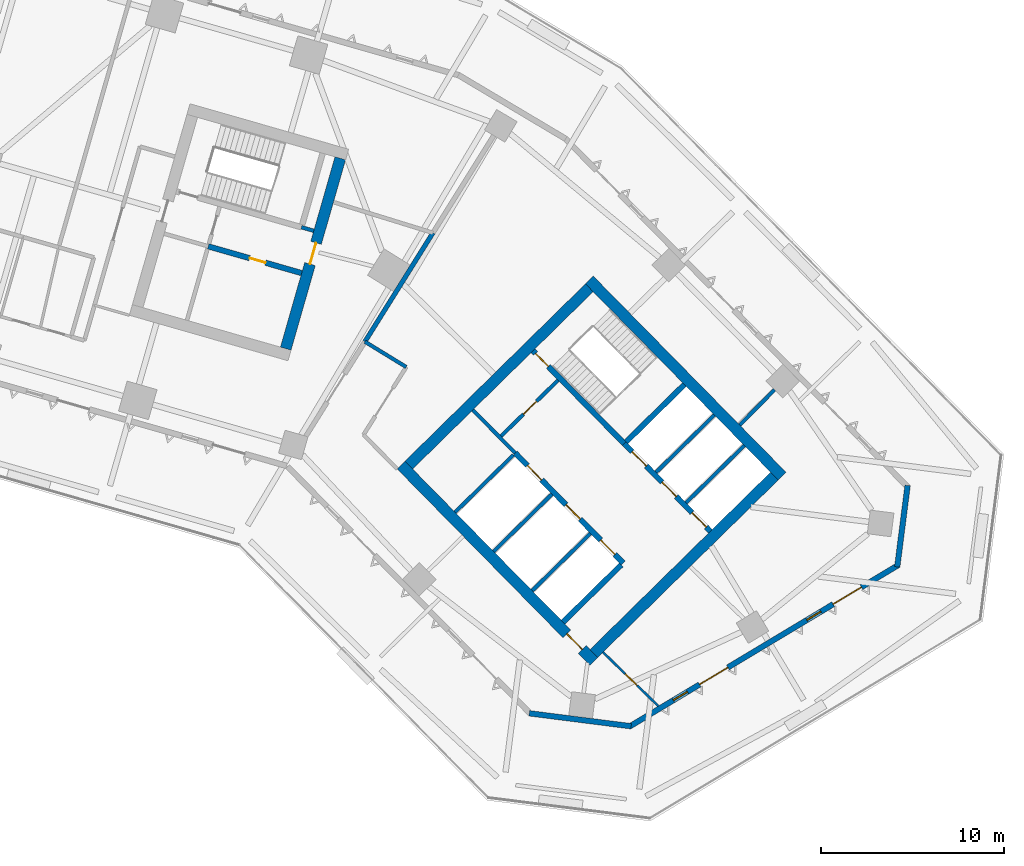
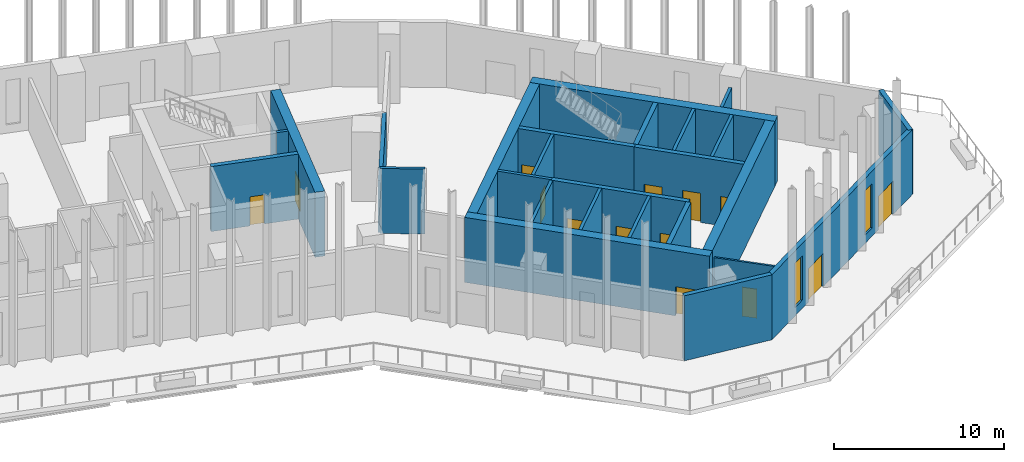
# One storey, part 9 of 17: 26 walls, 14 doors, 2 windows, 16 openings.
"""IFC4 building model written with IfcOpenShell, lengths in metres."""

import ifcopenshell
import ifcopenshell.guid

model = None  # the IFC model being written
_history = None  # IfcOwnerHistory: only IFC2X3 demands one
_inside = {}  # id of a spatial element -> (the spatial element, [elements in it])
_under = {}  # id of a project, library or spatial element -> (it, [spatial elements below it])
_declared = {}  # id of a project -> (the project, [libraries it declares])
_typed = {}  # id of a type object -> (the type object, [elements of that type])
_made_of = {}  # id of a material, layer set ... -> (it, [elements and type objects made of it])


def new_model(schema):
    """Start an empty IFC model of exactly this schema.

    Asked for "IFC4X3", IfcOpenShell would pick the latest addendum, in which some entities
    have other attributes; the version numbers below select the first issue.
    IFC2X3 requires an IfcOwnerHistory on every rooted entity: one is made here for all.
    """
    global model, _history
    if schema == "IFC4X3":
        model = ifcopenshell.file(schema_version=(4, 3, 0, 0))
    else:
        model = ifcopenshell.file(schema=schema)
    _inside.clear()
    _under.clear()
    _declared.clear()
    _typed.clear()
    _made_of.clear()
    _history = None
    if model.schema == "IFC2X3":
        org = make("IfcOrganization", Name="unknown")
        user = make(
            "IfcPersonAndOrganization",
            ThePerson=make("IfcPerson", FamilyName="unknown"),
            TheOrganization=org,
        )
        app = make(
            "IfcApplication",
            ApplicationDeveloper=org,
            Version="unknown",
            ApplicationFullName="unknown",
            ApplicationIdentifier="unknown",
        )
        _history = make(
            "IfcOwnerHistory",
            OwningUser=user,
            OwningApplication=app,
            ChangeAction="ADDED",
            CreationDate=0,
        )
    return model


def make(cls, **values):
    """One entity of the class cls with the attributes given. An attribute that is None is left unset."""
    return model.create_entity(
        cls, **{name: value for name, value in values.items() if value is not None}
    )


def rooted(cls, **values):
    """An entity with a GlobalId (a new one), such as an element, a storey or a relation."""
    return make(cls, GlobalId=ifcopenshell.guid.new(), OwnerHistory=_history, **values)


def si_unit(unit_type, name, prefix=None):
    """IfcSIUnit, for example si_unit("LENGTHUNIT", "METRE", prefix="MILLI")."""
    return make("IfcSIUnit", UnitType=unit_type, Prefix=prefix, Name=name)


def assignment(units):
    """IfcUnitAssignment: the units of a project."""
    return None if units is None else make("IfcUnitAssignment", Units=units)


def point(xyz):
    """IfcCartesianPoint."""
    return None if xyz is None else make("IfcCartesianPoint", Coordinates=xyz)


def direction(xyz):
    """IfcDirection."""
    return None if xyz is None else make("IfcDirection", DirectionRatios=xyz)


def frame(location, z_axis=None, x_axis=None):
    """IfcAxis2Placement3D, a coordinate frame: its origin and axes. An axis left out is left unset."""
    return make(
        "IfcAxis2Placement3D",
        Location=point(location),
        Axis=direction(z_axis),
        RefDirection=direction(x_axis),
    )


def frame_2d(location, x_axis=None):
    """IfcAxis2Placement2D, a coordinate frame in the plane: its origin and x axis."""
    return make(
        "IfcAxis2Placement2D", Location=point(location), RefDirection=direction(x_axis)
    )


def origin():
    """The frame at (0, 0, 0) with its axes left unset."""
    return frame((0.0, 0.0, 0.0))


def place(relative_to, where):
    """IfcLocalPlacement: puts the frame where relative to a parent placement (None: the world)."""
    return make(
        "IfcLocalPlacement", PlacementRelTo=relative_to, RelativePlacement=where
    )


def context(
    kind, dimensions, precision=None, world=None, true_north=None, identifier=None
):
    """IfcGeometricRepresentationContext, for example the 3D "Model" context."""
    return make(
        "IfcGeometricRepresentationContext",
        ContextIdentifier=identifier,
        ContextType=kind,
        CoordinateSpaceDimension=dimensions,
        Precision=precision,
        WorldCoordinateSystem=world,
        TrueNorth=true_north,
    )


def subcontext(parent, identifier, kind, view, scale=None):
    """IfcGeometricRepresentationSubContext, for example "Body" below "Model"."""
    return make(
        "IfcGeometricRepresentationSubContext",
        ContextIdentifier=identifier,
        ContextType=kind,
        ParentContext=parent,
        TargetScale=scale,
        TargetView=view,
    )


def project(units=None, contexts=None):
    """IfcProject with its units and contexts."""
    return rooted(
        "IfcProject",
        Name="project",
        RepresentationContexts=contexts,
        UnitsInContext=assignment(units),
    )


def spatial(cls, under=None, at=None, **own):
    """A site, building, storey or space (cls), placed at a placement, below another one or the project."""
    s = rooted(cls, ObjectPlacement=at, **own)
    if under is not None:
        _under.setdefault(under.id(), (under, []))[1].append(s)
    return s


def profile(cls, at=None, kind="AREA", **sizes):
    """A parametric profile (cls). Its sizes go by their IFC names, for example OverallWidth=200.0."""
    return make(cls, ProfileType=kind, Position=at, **sizes)


def rectangle(**sizes):
    """IfcRectangleProfileDef."""
    return profile("IfcRectangleProfileDef", **sizes)


def extrude(swept, where, along, depth):
    """IfcExtrudedAreaSolid: the profile swept, set in the frame where, extruded along a direction by depth."""
    return make(
        "IfcExtrudedAreaSolid",
        SweptArea=swept,
        Position=where,
        ExtrudedDirection=direction(along),
        Depth=depth,
    )


def shape(context_of_items, identifier, shape_type, items):
    """IfcShapeRepresentation: the items that make up one representation, for example the "Body"."""
    return make(
        "IfcShapeRepresentation",
        ContextOfItems=context_of_items,
        RepresentationIdentifier=identifier,
        RepresentationType=shape_type,
        Items=items,
    )


def material(Name=None, Category=None):
    """IfcMaterial."""
    return make("IfcMaterial", Name=Name, Category=Category)


def layer(
    of_material, thickness, ventilated=None, Name=None, Category=None, Priority=None
):
    """IfcMaterialLayer: one layer of a wall or slab, of a material (None: an air gap)."""
    return make(
        "IfcMaterialLayer",
        Material=of_material,
        LayerThickness=thickness,
        IsVentilated=ventilated,
        Name=Name,
        Category=Category,
        Priority=Priority,
    )


def layer_set(layers, Name=None):
    """IfcMaterialLayerSet."""
    return make("IfcMaterialLayerSet", MaterialLayers=layers, LayerSetName=Name)


def made_of(thing, what):
    """Note that an element or type object is made of a material, layer set ...; save() writes the relation."""
    if what is not None:
        _made_of.setdefault(what.id(), (what, []))[1].append(thing)
    return thing


def type_object(cls, material=None, **own):
    """A type object (cls), such as IfcWallType, which elements share."""
    return made_of(rooted(cls, **own), material)


def element(
    cls,
    number,
    at=None,
    inside=None,
    cuts=None,
    type_object=None,
    material=None,
    context=None,
    identifier="Body",
    shape_type=None,
    held_by="IfcProductDefinitionShape",
    body=None,
    shapes=None,
    **own,
):
    """One element of the class cls, such as IfcWall. Its Tag is "e" and its number.

    at: its placement. inside: the storey or other place that contains it. cuts: it is an
    opening in that element (IfcRelVoidsElement). A single representation is given by context,
    identifier, shape_type and body (its items); several are given by shapes. held_by: the class
    of the entity that holds the representations. save() writes the other relations.
    """
    e = rooted(cls, Tag="e%d" % number, ObjectPlacement=at, **own)
    if body is not None:
        shapes = [shape(context, identifier, shape_type, body)]
    if shapes is not None:
        e.Representation = make(held_by, Representations=shapes)
    if inside is not None:
        _inside.setdefault(inside.id(), (inside, []))[1].append(e)
    if cuts is not None:
        rooted(
            "IfcRelVoidsElement", RelatingBuildingElement=cuts, RelatedOpeningElement=e
        )
    if type_object is not None:
        _typed.setdefault(type_object.id(), (type_object, []))[1].append(e)
    return made_of(e, material)


def fill(opening, filler):
    """IfcRelFillsElement: the door or window that sits in an opening."""
    return rooted(
        "IfcRelFillsElement",
        RelatingOpeningElement=opening,
        RelatedBuildingElement=filler,
    )


def aggregate(whole, parts):
    """IfcRelAggregates: a whole, such as a stair, and the parts it consists of."""
    return rooted("IfcRelAggregates", RelatingObject=whole, RelatedObjects=parts)


def save(model, path):
    """Write the relations noted so far, then the file.

    IfcRelAggregates (storeys below a building ...), IfcRelContainedInSpatialStructure (elements
    in a storey), IfcRelDefinesByType, IfcRelAssociatesMaterial and IfcRelDeclares: one each for
    every whole, place, type object, material and project.
    """
    for whole, parts in _under.values():
        aggregate(whole, parts)
    for where, things in _inside.values():
        rooted(
            "IfcRelContainedInSpatialStructure",
            RelatedElements=things,
            RelatingStructure=where,
        )
    for kind, things in _typed.values():
        rooted("IfcRelDefinesByType", RelatedObjects=things, RelatingType=kind)
    for what, things in _made_of.values():
        rooted("IfcRelAssociatesMaterial", RelatedObjects=things, RelatingMaterial=what)
    for by, libraries in _declared.values():
        rooted("IfcRelDeclares", RelatingContext=by, RelatedDefinitions=libraries)
    model.write(path)


model = new_model("IFC4")

# Units and contexts
model_context = context("Model", 3, precision=1e-05, world=origin(), true_north=direction((0.0, 1.0)))
body_context = subcontext(model_context, "Body", "Model", "MODEL_VIEW")
ifc_project = project(units=[si_unit("LENGTHUNIT", "METRE"), si_unit("AREAUNIT", "SQUARE_METRE"), si_unit("VOLUMEUNIT", "CUBIC_METRE"), si_unit("PLANEANGLEUNIT", "RADIAN"), si_unit("MASSUNIT", "GRAM", prefix="KILO")], contexts=[model_context])

# Site, building, storey
site_placement = place(None, origin())
site = spatial("IfcSite", under=ifc_project, at=site_placement, CompositionType="ELEMENT")
building_placement = place(site_placement, origin())
building = spatial("IfcBuilding", under=site, at=building_placement, Name="Binnacle Exchange Tower", CompositionType="ELEMENT")
storey_placement = place(building_placement, frame((0.0, 0.0, 26.5)))
storey = spatial("IfcBuildingStorey", under=building, at=storey_placement, Name="L05", CompositionType="ELEMENT", Elevation=26.5)

# Wall, openings, doors
ifc_material_1 = material(Name="Concrete C70/85", Category="concrete")
ifc_layer_1 = layer(ifc_material_1, 0.300048828125)
ifc_layer_set_1 = layer_set([ifc_layer_1], Name="Core wall - front 300")
wall_type_1 = type_object("IfcWallType", Name="Core wall - front 300", PredefinedType="SOLIDWALL", material=ifc_layer_set_1)
wall_1_placement = place(storey_placement, frame((37.8740234375, 41.41552734375, 0.0), z_axis=(0.0, 0.0, 1.0), x_axis=(0.700918271237, -0.71324159795, 0.0)))
wall_1 = element("IfcWall", 1, at=wall_1_placement, inside=storey, type_object=wall_type_1, Name="Core wall CRWB3", PredefinedType="SOLIDWALL", context=body_context, shape_type="SweptSolid", body=[
    extrude(rectangle(XDim=8.39990234375, YDim=0.300048828125, at=frame_2d((4.199951171875, 0.0))), origin(), (0.0, 0.0, 1.0), 4.679931640625),
])
opening_1_placement = place(wall_1_placement, frame((0.949951171875, 0.0, 0.0)))
opening_1 = element("IfcOpeningElement", 2, at=opening_1_placement, cuts=wall_1, Name="Opening LD15", PredefinedType="OPENING", context=body_context, shape_type="SweptSolid", body=[
    extrude(rectangle(XDim=1.10009765625, YDim=2.10009765625, at=frame_2d((0.550048828125, 1.050048828125))), frame((0.0, 0.159912109375, 0.0), z_axis=(0.0, -1.0, 0.0), x_axis=(1.0, 0.0, 0.0)), (0.0, 0.0, 1.0), 0.320068359375),
])
opening_2_placement = place(wall_1_placement, frame((3.949951171875, 0.0, 0.0)))
opening_2 = element("IfcOpeningElement", 3, at=opening_2_placement, cuts=wall_1, Name="Opening LD16", PredefinedType="OPENING", context=body_context, shape_type="SweptSolid", body=[
    extrude(rectangle(XDim=1.10009765625, YDim=2.10009765625, at=frame_2d((0.550048828125, 1.050048828125))), frame((0.0, 0.159912109375, 0.0), z_axis=(0.0, -1.0, 0.0), x_axis=(1.0, 0.0, 0.0)), (0.0, 0.0, 1.0), 0.320068359375),
])
opening_3_placement = place(wall_1_placement, frame((6.64990234375, 0.0, 0.0)))
opening_3 = element("IfcOpeningElement", 4, at=opening_3_placement, cuts=wall_1, Name="Opening LD4", PredefinedType="OPENING", context=body_context, shape_type="SweptSolid", body=[
    extrude(rectangle(XDim=1.10009765625, YDim=2.10009765625, at=frame_2d((0.550048828125, 1.050048828125))), frame((0.0, 0.159912109375, 0.0), z_axis=(0.0, -1.0, 0.0), x_axis=(1.0, 0.0, 0.0)), (0.0, 0.0, 1.0), 0.320068359375),
])
ifc_material_2 = material(Name="Steel door leaf", Category="steel")
door_type_1 = type_object("IfcDoorType", Name="Fire door - lift landing 1100", OperationType="NOTDEFINED", PredefinedType="DOOR", material=ifc_material_2)
door_1_placement = place(opening_1_placement, origin())
door_1 = element("IfcDoor", 5, at=door_1_placement, inside=storey, type_object=door_type_1, Name="Landing door LD15 L05", OperationType="DOUBLE_DOOR_SLIDING", OverallHeight=2.10009765625, OverallWidth=1.10009765625, PredefinedType="DOOR", context=body_context, shape_type="SweptSolid", body=[
    extrude(rectangle(XDim=1.10009765625, YDim=2.10009765625, at=frame_2d((0.550048828125, 1.050048828125))), frame((0.0, 0.02490234375, 0.0), z_axis=(0.0, -1.0, 0.0), x_axis=(1.0, 0.0, 0.0)), (0.0, 0.0, 1.0), 0.050048828125),
])
fill(opening_1, door_1)
door_2_placement = place(opening_2_placement, origin())
door_2 = element("IfcDoor", 6, at=door_2_placement, inside=storey, type_object=door_type_1, Name="Landing door LD16 L05", OperationType="DOUBLE_DOOR_SLIDING", OverallHeight=2.10009765625, OverallWidth=1.10009765625, PredefinedType="DOOR", context=body_context, shape_type="SweptSolid", body=[
    extrude(rectangle(XDim=1.10009765625, YDim=2.10009765625, at=frame_2d((0.550048828125, 1.050048828125))), frame((0.0, 0.02490234375, 0.0), z_axis=(0.0, -1.0, 0.0), x_axis=(1.0, 0.0, 0.0)), (0.0, 0.0, 1.0), 0.050048828125),
])
fill(opening_2, door_2)
door_3_placement = place(opening_3_placement, origin())
door_3 = element("IfcDoor", 7, at=door_3_placement, inside=storey, type_object=door_type_1, Name="Landing door LD4 L05", OperationType="DOUBLE_DOOR_SLIDING", OverallHeight=2.10009765625, OverallWidth=1.10009765625, PredefinedType="DOOR", context=body_context, shape_type="SweptSolid", body=[
    extrude(rectangle(XDim=1.10009765625, YDim=2.10009765625, at=frame_2d((0.550048828125, 1.050048828125))), frame((0.0, 0.02490234375, 0.0), z_axis=(0.0, -1.0, 0.0), x_axis=(1.0, 0.0, 0.0)), (0.0, 0.0, 1.0), 0.050048828125),
])
fill(opening_3, door_3)

wall_2_placement = place(storey_placement, frame((43.818603515625, 41.92919921875, 0.0), z_axis=(0.0, 0.0, 1.0), x_axis=(0.700921619155, -0.713238307862, 0.0)))
wall_2 = element("IfcWall", 8, at=wall_2_placement, inside=storey, type_object=wall_type_1, Name="Core wall CRWB5", PredefinedType="SOLIDWALL", context=body_context, shape_type="SweptSolid", body=[
    extrude(rectangle(XDim=6.69970703125, YDim=0.300048828125, at=frame_2d((3.349853515625, 0.0))), origin(), (0.0, 0.0, 1.0), 4.679931640625),
])
opening_4_placement = place(wall_2_placement, frame((0.614990234375, 0.0, 0.0)))
opening_4 = element("IfcOpeningElement", 9, at=opening_4_placement, cuts=wall_2, Name="Opening LD1", PredefinedType="OPENING", context=body_context, shape_type="SweptSolid", body=[
    extrude(rectangle(XDim=1.10009765625, YDim=2.10009765625, at=frame_2d((0.550048828125, 1.050048828125))), frame((0.0, 0.159912109375, 0.0), z_axis=(0.0, -1.0, 0.0), x_axis=(1.0, 0.0, 0.0)), (0.0, 0.0, 1.0), 0.320068359375),
])
opening_5_placement = place(wall_2_placement, frame((2.945068359375, 0.0, 0.0)))
opening_5 = element("IfcOpeningElement", 10, at=opening_5_placement, cuts=wall_2, Name="Opening LD2", PredefinedType="OPENING", context=body_context, shape_type="SweptSolid", body=[
    extrude(rectangle(XDim=1.10009765625, YDim=2.10009765625, at=frame_2d((0.550048828125, 1.050048828125))), frame((0.0, 0.159912109375, 0.0), z_axis=(0.0, -1.0, 0.0), x_axis=(1.0, 0.0, 0.0)), (0.0, 0.0, 1.0), 0.320068359375),
])
opening_6_placement = place(wall_2_placement, frame((5.280029296875, 0.0, 0.0)))
opening_6 = element("IfcOpeningElement", 11, at=opening_6_placement, cuts=wall_2, Name="Opening LD3", PredefinedType="OPENING", context=body_context, shape_type="SweptSolid", body=[
    extrude(rectangle(XDim=1.10009765625, YDim=2.10009765625, at=frame_2d((0.550048828125, 1.050048828125))), frame((0.0, 0.159912109375, 0.0), z_axis=(0.0, -1.0, 0.0), x_axis=(1.0, 0.0, 0.0)), (0.0, 0.0, 1.0), 0.320068359375),
])
door_4_placement = place(opening_4_placement, origin())
door_4 = element("IfcDoor", 12, at=door_4_placement, inside=storey, type_object=door_type_1, Name="Landing door LD1 L05", OperationType="DOUBLE_DOOR_SLIDING", OverallHeight=2.10009765625, OverallWidth=1.10009765625, PredefinedType="DOOR", context=body_context, shape_type="SweptSolid", body=[
    extrude(rectangle(XDim=1.10009765625, YDim=2.10009765625, at=frame_2d((0.550048828125, 1.050048828125))), frame((0.0, 0.02490234375, 0.0), z_axis=(0.0, -1.0, 0.0), x_axis=(1.0, 0.0, 0.0)), (0.0, 0.0, 1.0), 0.050048828125),
])
fill(opening_4, door_4)
door_5_placement = place(opening_5_placement, origin())
door_5 = element("IfcDoor", 13, at=door_5_placement, inside=storey, type_object=door_type_1, Name="Landing door LD2 L05", OperationType="DOUBLE_DOOR_SLIDING", OverallHeight=2.10009765625, OverallWidth=1.10009765625, PredefinedType="DOOR", context=body_context, shape_type="SweptSolid", body=[
    extrude(rectangle(XDim=1.10009765625, YDim=2.10009765625, at=frame_2d((0.550048828125, 1.050048828125))), frame((0.0, 0.02490234375, 0.0), z_axis=(0.0, -1.0, 0.0), x_axis=(1.0, 0.0, 0.0)), (0.0, 0.0, 1.0), 0.050048828125),
])
fill(opening_5, door_5)
door_6_placement = place(opening_6_placement, origin())
door_6 = element("IfcDoor", 14, at=door_6_placement, inside=storey, type_object=door_type_1, Name="Landing door LD3 L05", OperationType="DOUBLE_DOOR_SLIDING", OverallHeight=2.10009765625, OverallWidth=1.10009765625, PredefinedType="DOOR", context=body_context, shape_type="SweptSolid", body=[
    extrude(rectangle(XDim=1.10009765625, YDim=2.10009765625, at=frame_2d((0.550048828125, 1.050048828125))), frame((0.0, 0.02490234375, 0.0), z_axis=(0.0, -1.0, 0.0), x_axis=(1.0, 0.0, 0.0)), (0.0, 0.0, 1.0), 0.050048828125),
])
fill(opening_6, door_6)

# Wall
wall_3_placement = place(storey_placement, frame((40.480712890625, 32.199951171875, 0.0), z_axis=(0.0, 0.0, 1.0), x_axis=(0.713251741427, 0.700907949271, 0.0)))
element("IfcWall", 15, at=wall_3_placement, inside=storey, type_object=wall_type_1, Name="Core wall CRWB14", PredefinedType="SOLIDWALL", context=body_context, shape_type="SweptSolid", body=[
    extrude(rectangle(XDim=4.4501953125, YDim=0.300048828125, at=frame_2d((2.22509765625, 0.0))), origin(), (0.0, 0.0, 1.0), 4.679931640625),
])

# Wall, opening, door
wall_4_placement = place(storey_placement, frame((21.130859375, 52.6923828125, 0.0), z_axis=(0.0, 0.0, 1.0), x_axis=(0.961271492568, -0.275603188616, 0.0)))
wall_4 = element("IfcWall", 16, at=wall_4_placement, inside=storey, type_object=wall_type_1, Name="Core wall CRWD3", PredefinedType="SOLIDWALL", context=body_context, shape_type="SweptSolid", body=[
    extrude(rectangle(XDim=5.300048828125, YDim=0.300048828125, at=frame_2d((2.64990234375, 0.0))), origin(), (0.0, 0.0, 1.0), 4.679931640625),
])
opening_7_placement = place(wall_4_placement, frame((2.35009765625, 0.0, 0.0)))
opening_7 = element("IfcOpeningElement", 17, at=opening_7_placement, cuts=wall_4, Name="Opening DD10", PredefinedType="OPENING", context=body_context, shape_type="SweptSolid", body=[
    extrude(rectangle(XDim=0.89990234375, YDim=2.10009765625, at=frame_2d((0.449951171875, 1.050048828125))), frame((0.0, 0.159912109375, 0.0), z_axis=(0.0, -1.0, 0.0), x_axis=(1.0, 0.0, 0.0)), (0.0, 0.0, 1.0), 0.320068359375),
])
door_type_2 = type_object("IfcDoorType", Name="Fire door 900", OperationType="NOTDEFINED", PredefinedType="DOOR", material=ifc_material_2)
door_7_placement = place(opening_7_placement, frame((0.89990234375, 0.0, 0.0), z_axis=(0.0, 0.0, 1.0), x_axis=(-1.0, 0.0, 0.0)))
door_7 = element("IfcDoor", 18, at=door_7_placement, inside=storey, type_object=door_type_2, Name="Core room door TELECOM RISER ROOM", OperationType="SINGLE_SWING_LEFT", OverallHeight=2.10009765625, OverallWidth=0.89990234375, PredefinedType="DOOR", context=body_context, shape_type="SweptSolid", body=[
    extrude(rectangle(XDim=0.89990234375, YDim=2.10009765625, at=frame_2d((0.449951171875, 1.050048828125))), frame((0.0, 0.02490234375, 0.0), z_axis=(0.0, -1.0, 0.0), x_axis=(1.0, 0.0, 0.0)), (0.0, 0.0, 1.0), 0.050048828125),
])
fill(opening_7, door_7)

ifc_layer_2 = layer(ifc_material_1, 0.60009765625)
ifc_layer_set_2 = layer_set([ifc_layer_2], Name="Core wall - outer 600")
wall_type_2 = type_object("IfcWallType", Name="Core wall - outer 600", PredefinedType="SOLIDWALL", material=ifc_layer_set_2)
wall_5_placement = place(storey_placement, frame((31.6455078125, 40.7626953125, 0.0), z_axis=(0.0, 0.0, 1.0), x_axis=(0.700911255944, -0.713248491965, 0.0)))
wall_5 = element("IfcWall", 19, at=wall_5_placement, inside=storey, type_object=wall_type_2, Name="Core wall CRWB1", PredefinedType="SOLIDWALL", context=body_context, shape_type="SweptSolid", body=[
    extrude(rectangle(XDim=15.0, YDim=0.60009765625, at=frame_2d((7.5, 0.0))), origin(), (0.0, 0.0, 1.0), 4.679931640625),
])
opening_8_placement = place(wall_5_placement, frame((12.89990234375, 0.0, 0.0)))
opening_8 = element("IfcOpeningElement", 20, at=opening_8_placement, cuts=wall_5, Name="Opening DB7", PredefinedType="OPENING", context=body_context, shape_type="SweptSolid", body=[
    extrude(rectangle(XDim=1.199951171875, YDim=2.10009765625, at=frame_2d((0.60009765625, 1.050048828125))), frame((0.0, 0.31005859375, 0.0), z_axis=(0.0, -1.0, 0.0), x_axis=(1.0, 0.0, 0.0)), (0.0, 0.0, 1.0), 0.6201171875),
])
door_type_3 = type_object("IfcDoorType", Name="Fire door 1200", OperationType="NOTDEFINED", PredefinedType="DOOR", material=ifc_material_2)
door_8_placement = place(opening_8_placement, frame((1.199951171875, 0.0, 0.0), z_axis=(0.0, 0.0, 1.0), x_axis=(-1.0, 0.0, 0.0)))
door_8 = element("IfcDoor", 21, at=door_8_placement, inside=storey, type_object=door_type_3, Name="Lift lobby entrance door core B", OperationType="SINGLE_SWING_LEFT", OverallHeight=2.10009765625, OverallWidth=1.199951171875, PredefinedType="DOOR", context=body_context, shape_type="SweptSolid", body=[
    extrude(rectangle(XDim=1.199951171875, YDim=2.10009765625, at=frame_2d((0.60009765625, 1.050048828125))), frame((0.0, 0.02490234375, 0.0), z_axis=(0.0, -1.0, 0.0), x_axis=(1.0, 0.0, 0.0)), (0.0, 0.0, 1.0), 0.050048828125),
])
fill(opening_8, door_8)

# Walls
wall_6_placement = place(storey_placement, frame((41.91650390625, 50.855712890625, 0.0), z_axis=(0.0, 0.0, 1.0), x_axis=(0.700911255944, -0.713248491965, 0.0)))
element("IfcWall", 22, at=wall_6_placement, inside=storey, type_object=wall_type_2, Name="Core wall CRWB6", PredefinedType="SOLIDWALL", context=body_context, shape_type="SweptSolid", body=[
    extrude(rectangle(XDim=15.0, YDim=0.60009765625, at=frame_2d((7.5, 0.0))), origin(), (0.0, 0.0, 1.0), 4.679931640625),
])
for number, where, z_axis, x_axis, name in (
    (23, (32.06982421875, 40.759033203125, 0.0), (0.0, 0.0, 1.0), (0.713245344712, 0.70091445858, 0.0), "Core wall CRWB7"),
    (24, (42.1630859375, 30.48828125, 0.0), (0.0, 0.0, 1.0), (0.713245344712, 0.70091445858, 0.0), "Core wall CRWB16"),
):
    element("IfcWall", number, at=place(storey_placement, frame(where, z_axis=z_axis, x_axis=x_axis)), inside=storey, type_object=wall_type_2, Name=name, PredefinedType="SOLIDWALL", context=body_context, shape_type="SweptSolid", body=[
        extrude(rectangle(XDim=13.800048828125, YDim=0.60009765625, at=frame_2d((6.89990234375, 0.0))), origin(), (0.0, 0.0, 1.0), 4.679931640625),
    ])

# Wall, opening, door
wall_7_placement = place(storey_placement, frame((25.356201171875, 47.111572265625, 0.0), z_axis=(0.0, 0.0, 1.0), x_axis=(0.275631631629, 0.961263337304, 0.0)))
wall_7 = element("IfcWall", 25, at=wall_7_placement, inside=storey, type_object=wall_type_2, Name="Core wall CRWD12", PredefinedType="SOLIDWALL", context=body_context, shape_type="SweptSolid", body=[
    extrude(rectangle(XDim=10.800048828125, YDim=0.60009765625, at=frame_2d((5.39990234375, 0.0))), origin(), (0.0, 0.0, 1.0), 4.679931640625),
])
opening_9_placement = place(wall_7_placement, frame((4.800048828125, 0.0, 0.0)))
opening_9 = element("IfcOpeningElement", 26, at=opening_9_placement, cuts=wall_7, Name="Opening DD6", PredefinedType="OPENING", context=body_context, shape_type="SweptSolid", body=[
    extrude(rectangle(XDim=1.199951171875, YDim=2.10009765625, at=frame_2d((0.60009765625, 1.050048828125))), frame((0.0, 0.31005859375, 0.0), z_axis=(0.0, -1.0, 0.0), x_axis=(1.0, 0.0, 0.0)), (0.0, 0.0, 1.0), 0.6201171875),
])
door_9_placement = place(opening_9_placement, frame((1.199951171875, 0.0, 0.0), z_axis=(0.0, 0.0, 1.0), x_axis=(-1.0, 0.0, 0.0)))
door_9 = element("IfcDoor", 27, at=door_9_placement, inside=storey, type_object=door_type_3, Name="Core passage exit door", OperationType="SINGLE_SWING_LEFT", OverallHeight=2.10009765625, OverallWidth=1.199951171875, PredefinedType="DOOR", context=body_context, shape_type="SweptSolid", body=[
    extrude(rectangle(XDim=1.199951171875, YDim=2.10009765625, at=frame_2d((0.60009765625, 1.050048828125))), frame((0.0, 0.02490234375, 0.0), z_axis=(0.0, -1.0, 0.0), x_axis=(1.0, 0.0, 0.0)), (0.0, 0.0, 1.0), 0.050048828125),
])
fill(opening_9, door_9)

ifc_layer_3 = layer(ifc_material_1, 0.300048828125)
ifc_layer_set_3 = layer_set([ifc_layer_3], Name="Core wall - stair 300")
wall_type_3 = type_object("IfcWallType", Name="Core wall - stair 300", PredefinedType="SOLIDWALL", material=ifc_layer_set_3)
wall_8_placement = place(storey_placement, frame((38.842041015625, 46.993408203125, 0.0), z_axis=(0.0, 0.0, 1.0), x_axis=(0.700907701701, -0.713251984713, 0.0)))
wall_8 = element("IfcWall", 28, at=wall_8_placement, inside=storey, type_object=wall_type_3, Name="Core wall CRWB4", PredefinedType="SOLIDWALL", context=body_context, shape_type="SweptSolid", body=[
    extrude(rectangle(XDim=7.10009765625, YDim=0.300048828125, at=frame_2d((3.550048828125, 0.0))), origin(), (0.0, 0.0, 1.0), 4.679931640625),
])
opening_10_placement = place(wall_8_placement, frame((0.199951171875, 0.0, 0.0)))
opening_10 = element("IfcOpeningElement", 29, at=opening_10_placement, cuts=wall_8, Name="Opening DB1", PredefinedType="OPENING", context=body_context, shape_type="SweptSolid", body=[
    extrude(rectangle(XDim=1.0, YDim=2.10009765625, at=frame_2d((0.5, 1.050048828125))), frame((0.0, 0.159912109375, 0.0), z_axis=(0.0, -1.0, 0.0), x_axis=(1.0, 0.0, 0.0)), (0.0, 0.0, 1.0), 0.320068359375),
])
door_type_4 = type_object("IfcDoorType", Name="Fire door 1000", OperationType="NOTDEFINED", PredefinedType="DOOR", material=ifc_material_2)
door_10_placement = place(opening_10_placement, origin())
door_10 = element("IfcDoor", 30, at=door_10_placement, inside=storey, type_object=door_type_4, Name="Stair door ST-B1", OperationType="SINGLE_SWING_LEFT", OverallHeight=2.10009765625, OverallWidth=1.0, PredefinedType="DOOR", context=body_context, shape_type="SweptSolid", body=[
    extrude(rectangle(XDim=1.0, YDim=2.10009765625, at=frame_2d((0.5, 1.050048828125))), frame((0.0, 0.02490234375, 0.0), z_axis=(0.0, -1.0, 0.0), x_axis=(1.0, 0.0, 0.0)), (0.0, 0.0, 1.0), 0.050048828125),
])
fill(opening_10, door_10)

# Walls
wall_9_placement = place(storey_placement, frame((43.925537109375, 42.034423828125, 0.0), z_axis=(0.0, 0.0, 1.0), x_axis=(0.713251741427, 0.700907949271, 0.0)))
element("IfcWall", 31, at=wall_9_placement, inside=storey, type_object=wall_type_3, Name="Core wall CRWB11", PredefinedType="SOLIDWALL", context=body_context, shape_type="SweptSolid", body=[
    extrude(rectangle(XDim=4.4501953125, YDim=0.300048828125, at=frame_2d((2.22509765625, 0.0))), origin(), (0.0, 0.0, 1.0), 4.679931640625),
])
ifc_material_3 = material(Name="Bronze aluminium cladding", Category="aluminium")
ifc_layer_4 = layer(ifc_material_3, 0.300048828125)
ifc_layer_set_4 = layer_set([ifc_layer_4], Name="External wall - spandrel 300")
wall_type_4 = type_object("IfcWallType", Name="External wall - spandrel 300", PredefinedType="STANDARD", material=ifc_layer_set_4)
wall_10_placement = place(storey_placement, frame((44.19580078125, 26.517822265625, 0.0), z_axis=(0.0, 0.0, 1.0), x_axis=(-0.992001881269, 0.126223086474, 0.0)))
element("IfcWall", 32, at=wall_10_placement, inside=storey, type_object=wall_type_4, Name="External wall EW-F10 L05", PredefinedType="STANDARD", context=body_context, shape_type="SweptSolid", body=[
    extrude(rectangle(XDim=5.6015625, YDim=0.300048828125, at=frame_2d((2.80078125, 0.0))), origin(), (0.0, 0.0, 1.0), 4.679931640625),
])

# Wall, openings, doors, windows
wall_11_placement = place(storey_placement, frame((58.7783203125, 35.317626953125, 0.0), z_axis=(0.0, 0.0, 1.0), x_axis=(-0.857168206138, -0.515036568009, 0.0)))
wall_11 = element("IfcWall", 33, at=wall_11_placement, inside=storey, type_object=wall_type_4, Name="External wall EW-F11 L05", PredefinedType="STANDARD", context=body_context, shape_type="SweptSolid", body=[
    extrude(rectangle(XDim=17.124755859375, YDim=0.300048828125, at=frame_2d((8.5625, 0.0))), origin(), (0.0, 0.0, 1.0), 4.679931640625),
])
opening_11_placement = place(wall_11_placement, frame((13.435302734375, 0.0, 0.60009765625)))
opening_11 = element("IfcOpeningElement", 34, at=opening_11_placement, cuts=wall_11, Name="Opening WS1", PredefinedType="OPENING", context=body_context, shape_type="SweptSolid", body=[
    extrude(rectangle(XDim=0.89990234375, YDim=3.199951171875, at=frame_2d((0.449951171875, 1.60009765625))), frame((0.0, 0.159912109375, 0.0), z_axis=(0.0, -1.0, 0.0), x_axis=(1.0, 0.0, 0.0)), (0.0, 0.0, 1.0), 0.320068359375),
])
opening_12_placement = place(wall_11_placement, frame((10.8603515625, 0.0, 0.0)))
opening_12 = element("IfcOpeningElement", 35, at=opening_12_placement, cuts=wall_11, Name="Opening D-FS05-14", PredefinedType="OPENING", context=body_context, shape_type="SweptSolid", body=[
    extrude(rectangle(XDim=1.800048828125, YDim=2.39990234375, at=frame_2d((0.89990234375, 1.199951171875))), frame((0.0, 0.159912109375, 0.0), z_axis=(0.0, -1.0, 0.0), x_axis=(1.0, 0.0, 0.0)), (0.0, 0.0, 1.0), 0.320068359375),
])
opening_13_placement = place(wall_11_placement, frame((4.935302734375, 0.0, 0.60009765625)))
opening_13 = element("IfcOpeningElement", 36, at=opening_13_placement, cuts=wall_11, Name="Opening WS1", PredefinedType="OPENING", context=body_context, shape_type="SweptSolid", body=[
    extrude(rectangle(XDim=0.89990234375, YDim=3.199951171875, at=frame_2d((0.449951171875, 1.60009765625))), frame((0.0, 0.159912109375, 0.0), z_axis=(0.0, -1.0, 0.0), x_axis=(1.0, 0.0, 0.0)), (0.0, 0.0, 1.0), 0.320068359375),
])
opening_14_placement = place(wall_11_placement, frame((2.3603515625, 0.0, 0.0)))
opening_14 = element("IfcOpeningElement", 37, at=opening_14_placement, cuts=wall_11, Name="Opening D-FS05-15", PredefinedType="OPENING", context=body_context, shape_type="SweptSolid", body=[
    extrude(rectangle(XDim=1.800048828125, YDim=2.39990234375, at=frame_2d((0.89990234375, 1.199951171875))), frame((0.0, 0.159912109375, 0.0), z_axis=(0.0, -1.0, 0.0), x_axis=(1.0, 0.0, 0.0)), (0.0, 0.0, 1.0), 0.320068359375),
])
ifc_material_4 = material(Name="Bronze anodised aluminium frame", Category="aluminium")
door_type_5 = type_object("IfcDoorType", Name="DT DOOR 1800x2400", OperationType="DOUBLE_DOOR_SINGLE_SWING", PredefinedType="DOOR", material=ifc_material_4)
door_11_placement = place(opening_12_placement, origin())
door_11 = element("IfcDoor", 38, at=door_11_placement, inside=storey, type_object=door_type_5, Name="Door D-FS05-14 L05", OperationType="DOUBLE_DOOR_SINGLE_SWING", OverallHeight=2.39990234375, OverallWidth=1.800048828125, PredefinedType="DOOR", context=body_context, shape_type="SweptSolid", body=[
    extrude(rectangle(XDim=1.800048828125, YDim=2.39990234375, at=frame_2d((0.89990234375, 1.199951171875))), frame((0.0, 0.02490234375, 0.0), z_axis=(0.0, -1.0, 0.0), x_axis=(1.0, 0.0, 0.0)), (0.0, 0.0, 1.0), 0.050048828125),
])
fill(opening_12, door_11)
door_12_placement = place(opening_14_placement, origin())
door_12 = element("IfcDoor", 39, at=door_12_placement, inside=storey, type_object=door_type_5, Name="Door D-FS05-15 L05", OperationType="DOUBLE_DOOR_SINGLE_SWING", OverallHeight=2.39990234375, OverallWidth=1.800048828125, PredefinedType="DOOR", context=body_context, shape_type="SweptSolid", body=[
    extrude(rectangle(XDim=1.800048828125, YDim=2.39990234375, at=frame_2d((0.89990234375, 1.199951171875))), frame((0.0, 0.02490234375, 0.0), z_axis=(0.0, -1.0, 0.0), x_axis=(1.0, 0.0, 0.0)), (0.0, 0.0, 1.0), 0.050048828125),
])
fill(opening_14, door_12)
window_type = type_object("IfcWindowType", Name="WS1 WINDOW 900x3200", PartitioningType="SINGLE_PANEL", PredefinedType="WINDOW", material=ifc_material_4)
window_1_placement = place(opening_11_placement, origin())
window_1 = element("IfcWindow", 40, at=window_1_placement, inside=storey, type_object=window_type, Name="Window WS1 L05", OverallHeight=3.199951171875, OverallWidth=0.89990234375, PartitioningType="SINGLE_PANEL", PredefinedType="WINDOW", context=body_context, shape_type="SweptSolid", body=[
    extrude(rectangle(XDim=0.89990234375, YDim=3.199951171875, at=frame_2d((0.449951171875, 1.60009765625))), frame((0.0, 0.030029296875, 0.0), z_axis=(0.0, -1.0, 0.0), x_axis=(1.0, 0.0, 0.0)), (0.0, 0.0, 1.0), 0.06005859375),
])
fill(opening_11, window_1)
window_2_placement = place(opening_13_placement, origin())
window_2 = element("IfcWindow", 41, at=window_2_placement, inside=storey, type_object=window_type, Name="Window WS1 L05", OverallHeight=3.199951171875, OverallWidth=0.89990234375, PartitioningType="SINGLE_PANEL", PredefinedType="WINDOW", context=body_context, shape_type="SweptSolid", body=[
    extrude(rectangle(XDim=0.89990234375, YDim=3.199951171875, at=frame_2d((0.449951171875, 1.60009765625))), frame((0.0, 0.030029296875, 0.0), z_axis=(0.0, -1.0, 0.0), x_axis=(1.0, 0.0, 0.0)), (0.0, 0.0, 1.0), 0.06005859375),
])
fill(opening_13, window_2)

# Walls
wall_12_placement = place(storey_placement, frame((59.27197265625, 39.6513671875, 0.0), z_axis=(0.0, 0.0, 1.0), x_axis=(-0.126181137886, -0.992007217938, 0.0)))
element("IfcWall", 42, at=wall_12_placement, inside=storey, type_object=wall_type_4, Name="External wall EW-F12 L05", PredefinedType="STANDARD", context=body_context, shape_type="SweptSolid", body=[
    extrude(rectangle(XDim=4.479248046875, YDim=0.300048828125, at=frame_2d((2.23974609375, 0.0))), origin(), (0.0, 0.0, 1.0), 4.679931640625),
])
ifc_material_5 = material(Name="Masonry block wall", Category="masonry")
ifc_layer_5 = layer(ifc_material_5, 0.199951171875)
ifc_layer_set_5 = layer_set([ifc_layer_5], Name="Fire wall - block 200")
wall_type_5 = type_object("IfcWallType", Name="Fire wall - block 200", PredefinedType="PARTITIONING", material=ifc_layer_set_5)
wall_13_placement = place(storey_placement, frame((29.675048828125, 47.490966796875, 0.0), z_axis=(0.0, 0.0, 1.0), x_axis=(0.852591965232, -0.522577210392, 0.0)))
element("IfcWall", 43, at=wall_13_placement, inside=storey, type_object=wall_type_5, Name="Partition W38", PredefinedType="PARTITIONING", context=body_context, shape_type="SweptSolid", body=[
    extrude(rectangle(XDim=2.644775390625, YDim=0.199951171875, at=frame_2d((1.322265625, 0.0))), origin(), (0.0, 0.0, 1.0), 4.679931640625),
])
wall_14_placement = place(storey_placement, frame((50.111083984375, 42.945068359375, 0.0), z_axis=(0.0, 0.0, 1.0), x_axis=(0.703583283707, 0.710612807996, 0.0)))
element("IfcWall", 44, at=wall_14_placement, inside=storey, type_object=wall_type_5, Name="Partition W42", PredefinedType="PARTITIONING", context=body_context, shape_type="SweptSolid", body=[
    extrude(rectangle(XDim=2.708984375, YDim=0.199951171875, at=frame_2d((1.3544921875, 0.0))), origin(), (0.0, 0.0, 1.0), 4.2099609375),
])
ifc_material_6 = material(Name="Concrete fire wall C30/37", Category="concrete")
ifc_layer_6 = layer(ifc_material_6, 0.25)
ifc_layer_set_6 = layer_set([ifc_layer_6], Name="Fire wall - compartment 250")
wall_type_6 = type_object("IfcWallType", Name="Fire wall - compartment 250", PredefinedType="PARTITIONING", material=ifc_layer_set_6)
wall_15_placement = place(storey_placement, frame((29.675048828125, 47.490966796875, 0.0), z_axis=(0.0, 0.0, 1.0), x_axis=(0.529992669945, 0.848002222759, 0.0)))
element("IfcWall", 45, at=wall_15_placement, inside=storey, type_object=wall_type_6, Name="Fire Wall W39", PredefinedType="PARTITIONING", context=body_context, shape_type="SweptSolid", body=[
    extrude(rectangle(XDim=7.0, YDim=0.25, at=frame_2d((3.5, 0.0))), origin(), (0.0, 0.0, 1.0), 3.741943359375),
])

# Wall, opening, door
ifc_layer_7 = layer(ifc_material_5, 0.199951171875)
ifc_layer_set_7 = layer_set([ifc_layer_7], Name="Fire wall - vestibule 200")
wall_type_7 = type_object("IfcWallType", Name="Fire wall - vestibule 200", PredefinedType="PARTITIONING", material=ifc_layer_set_7)
wall_16_placement = place(storey_placement, frame((37.104248046875, 42.341552734375, 0.0), z_axis=(0.0, 0.0, 1.0), x_axis=(0.713281298468, 0.700877870428, 0.0)))
wall_16 = element("IfcWall", 46, at=wall_16_placement, inside=storey, type_object=wall_type_7, Name="Core wall CRWB8", PredefinedType="PARTITIONING", context=body_context, shape_type="SweptSolid", body=[
    extrude(rectangle(XDim=4.35009765625, YDim=0.199951171875, at=frame_2d((2.175048828125, 0.0))), origin(), (0.0, 0.0, 1.0), 4.679931640625),
])
opening_15_placement = place(wall_16_placement, frame((1.699951171875, 0.0, 0.0)))
opening_15 = element("IfcOpeningElement", 47, at=opening_15_placement, cuts=wall_16, Name="Opening DB3", PredefinedType="OPENING", context=body_context, shape_type="SweptSolid", body=[
    extrude(rectangle(XDim=1.0, YDim=2.10009765625, at=frame_2d((0.5, 1.050048828125))), frame((0.0, 0.10986328125, 0.0), z_axis=(0.0, -1.0, 0.0), x_axis=(1.0, 0.0, 0.0)), (0.0, 0.0, 1.0), 0.219970703125),
])
door_13_placement = place(opening_15_placement, origin())
door_13 = element("IfcDoor", 48, at=door_13_placement, inside=storey, type_object=door_type_4, Name="Vestibule door VEST-W", OperationType="SINGLE_SWING_RIGHT", OverallHeight=2.10009765625, OverallWidth=1.0, PredefinedType="DOOR", context=body_context, shape_type="SweptSolid", body=[
    extrude(rectangle(XDim=1.0, YDim=2.10009765625, at=frame_2d((0.5, 1.050048828125))), frame((0.0, 0.02490234375, 0.0), z_axis=(0.0, -1.0, 0.0), x_axis=(1.0, 0.0, 0.0)), (0.0, 0.0, 1.0), 0.050048828125),
])
fill(opening_15, door_13)

ifc_material_7 = material(Name="Gypsum partition")
ifc_layer_8 = layer(ifc_material_7, 0.125)
ifc_layer_set_8 = layer_set([ifc_layer_8], Name="Partition 125")
wall_type_8 = type_object("IfcWallType", Name="Partition 125", PredefinedType="PARTITIONING", material=ifc_layer_set_8)
wall_17_placement = place(storey_placement, frame((42.658935546875, 30.554931640625, 0.0), z_axis=(0.0, 0.0, 1.0), x_axis=(0.716925671772, -0.697149611743, 0.0)))
wall_17 = element("IfcWall", 49, at=wall_17_placement, inside=storey, type_object=wall_type_8, Name="Partition W41", PredefinedType="PARTITIONING", context=body_context, shape_type="SweptSolid", body=[
    extrude(rectangle(XDim=4.209716796875, YDim=0.125, at=frame_2d((2.10498046875, 0.0))), origin(), (0.0, 0.0, 1.0), 3.951904296875),
])
opening_16_placement = place(wall_17_placement, frame((1.699951171875, 0.0, 0.0)))
opening_16 = element("IfcOpeningElement", 50, at=opening_16_placement, cuts=wall_17, Name="Opening DL05-11", PredefinedType="OPENING", context=body_context, shape_type="SweptSolid", body=[
    extrude(rectangle(XDim=0.89990234375, YDim=2.10009765625, at=frame_2d((0.449951171875, 1.050048828125))), frame((0.0, 0.072509765625, 0.0), z_axis=(0.0, -1.0, 0.0), x_axis=(1.0, 0.0, 0.0)), (0.0, 0.0, 1.0), 0.14501953125),
])
ifc_material_8 = material(Name="Timber door leaf", Category="wood")
door_type_6 = type_object("IfcDoorType", Name="Door 900", OperationType="NOTDEFINED", PredefinedType="DOOR", material=ifc_material_8)
door_14_placement = place(opening_16_placement, origin())
door_14 = element("IfcDoor", 51, at=door_14_placement, inside=storey, type_object=door_type_6, Name="Door DL05-11", OperationType="SINGLE_SWING_RIGHT", OverallHeight=2.10009765625, OverallWidth=0.89990234375, PredefinedType="DOOR", context=body_context, shape_type="SweptSolid", body=[
    extrude(rectangle(XDim=0.89990234375, YDim=2.10009765625, at=frame_2d((0.449951171875, 1.050048828125))), frame((0.0, 0.02490234375, 0.0), z_axis=(0.0, -1.0, 0.0), x_axis=(1.0, 0.0, 0.0)), (0.0, 0.0, 1.0), 0.050048828125),
])
fill(opening_16, door_14)

# Walls
ifc_layer_9 = layer(ifc_material_5, 0.199951171875)
ifc_layer_set_9 = layer_set([ifc_layer_9], Name="Riser wall 200")
wall_type_9 = type_object("IfcWallType", Name="Riser wall 200", PredefinedType="SOLIDWALL", material=ifc_layer_set_9)
wall_18_placement = place(storey_placement, frame((35.56103515625, 43.769287109375, 0.0), z_axis=(0.0, 0.0, 1.0), x_axis=(0.70090232736, -0.713257266, 0.0)))
element("IfcWall", 52, at=wall_18_placement, inside=storey, type_object=wall_type_9, Name="Core wall CRWB2", PredefinedType="SOLIDWALL", context=body_context, shape_type="SweptSolid", body=[
    extrude(rectangle(XDim=3.300048828125, YDim=0.199951171875, at=frame_2d((1.64990234375, 0.0))), origin(), (0.0, 0.0, 1.0), 4.679931640625),
])
wall_19_placement = place(storey_placement, frame((34.59326171875, 38.19140625, 0.0), z_axis=(0.0, 0.0, 1.0), x_axis=(0.713252216116, 0.700907466222, 0.0)))
element("IfcWall", 53, at=wall_19_placement, inside=storey, type_object=wall_type_9, Name="Core wall CRWB9", PredefinedType="SOLIDWALL", context=body_context, shape_type="SweptSolid", body=[
    extrude(rectangle(XDim=4.44970703125, YDim=0.199951171875, at=frame_2d((2.224853515625, 0.0))), origin(), (0.0, 0.0, 1.0), 4.679931640625),
])
wall_20_placement = place(storey_placement, frame((26.214111328125, 53.731689453125, 0.0), z_axis=(0.0, 0.0, 1.0), x_axis=(0.96122076476, -0.27578005982, 0.0)))
element("IfcWall", 54, at=wall_20_placement, inside=storey, type_object=wall_type_9, Name="Core wall CRWD5", PredefinedType="SOLIDWALL", context=body_context, shape_type="SweptSolid", body=[
    extrude(rectangle(XDim=0.7001953125, YDim=0.199951171875, at=frame_2d((0.35009765625, 0.0))), origin(), (0.0, 0.0, 1.0), 4.679931640625),
])
ifc_layer_10 = layer(ifc_material_5, 0.199951171875)
ifc_layer_set_10 = layer_set([ifc_layer_10], Name="Shaft wall 200")
wall_type_10 = type_object("IfcWallType", Name="Shaft wall 200", PredefinedType="SOLIDWALL", material=ifc_layer_set_10)
for number, where, z_axis, x_axis, name in (
    (55, (36.69580078125, 36.051513671875, 0.0), (0.0, 0.0, 1.0), (0.713251741427, 0.700907949271, 0.0), "Core wall CRWB10"),
    (56, (38.798583984375, 33.911865234375, 0.0), (0.0, 0.0, 1.0), (0.713251741427, 0.700907949271, 0.0), "Core wall CRWB12"),
    (57, (45.55859375, 40.37255859375, 0.0), (0.0, 0.0, 1.0), (0.713251741427, 0.700907949271, 0.0), "Core wall CRWB13"),
    (58, (47.191650390625, 38.710693359375, 0.0), (0.0, 0.0, 1.0), (0.713251741427, 0.700907949271, 0.0), "Core wall CRWB15"),
):
    element("IfcWall", number, at=place(storey_placement, frame(where, z_axis=z_axis, x_axis=x_axis)), inside=storey, type_object=wall_type_10, Name=name, PredefinedType="SOLIDWALL", context=body_context, shape_type="SweptSolid", body=[
        extrude(rectangle(XDim=4.4501953125, YDim=0.199951171875, at=frame_2d((2.22509765625, 0.0))), origin(), (0.0, 0.0, 1.0), 4.679931640625),
    ])

save(model, "model.ifc")
